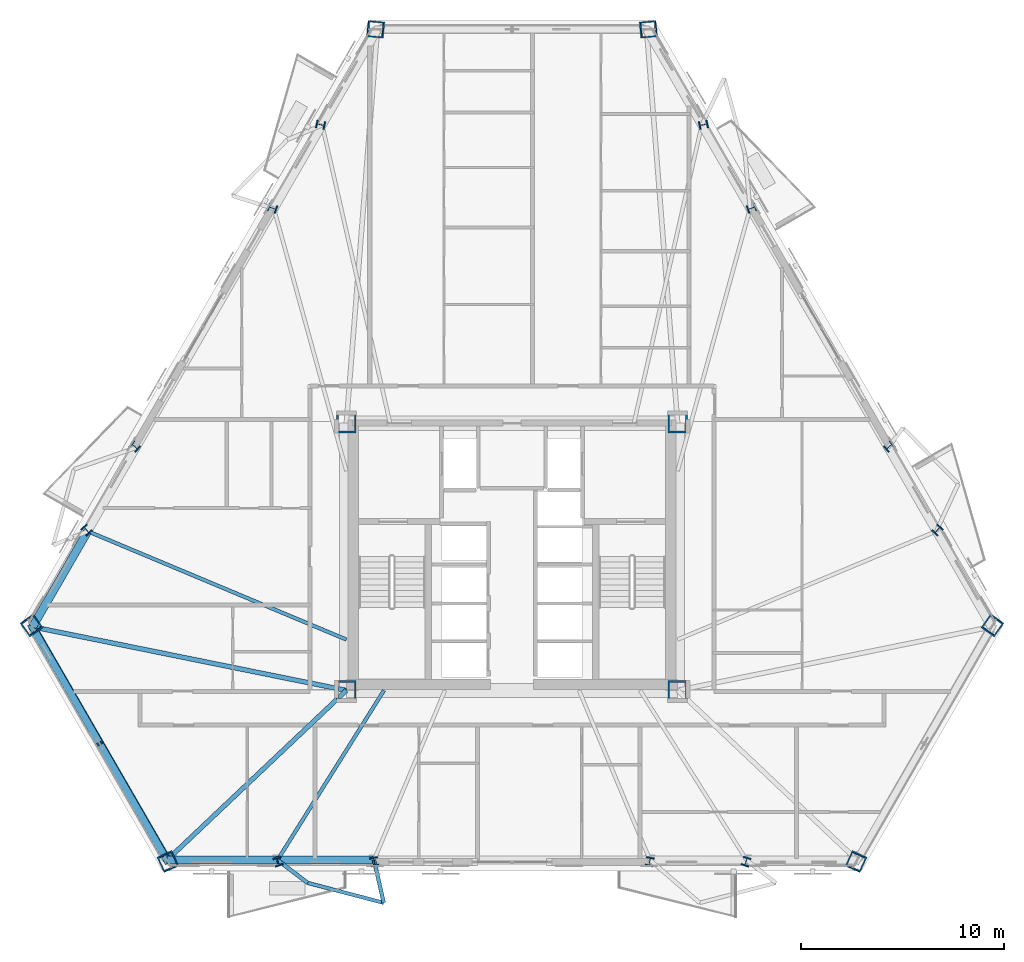
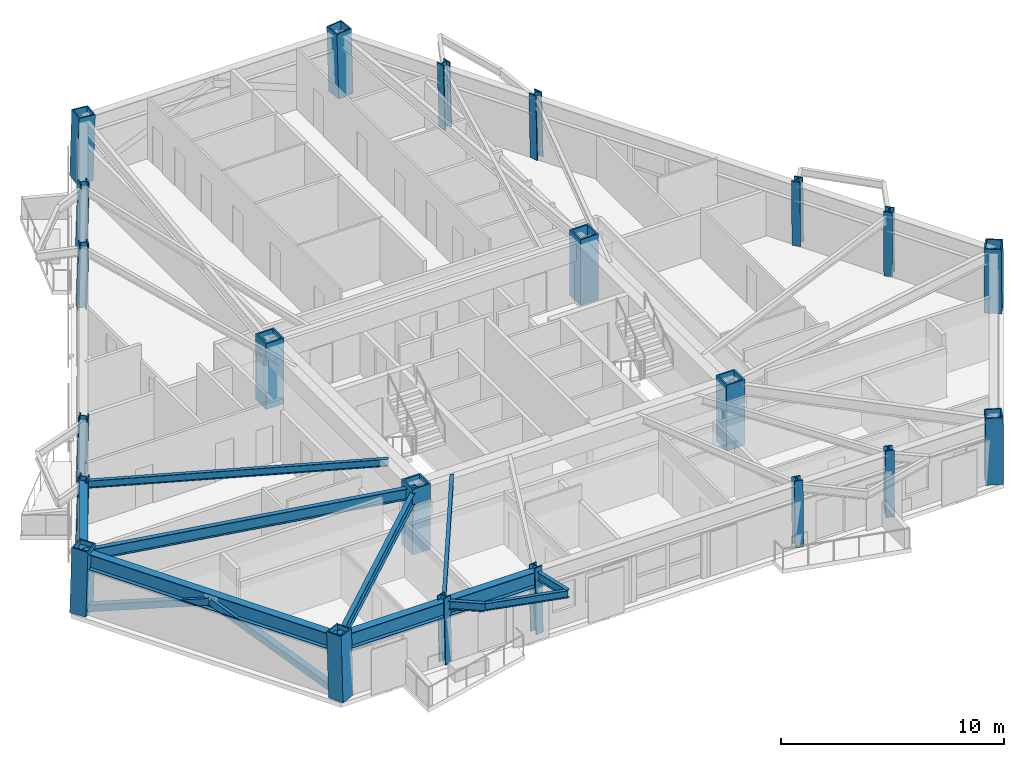
# One storey, part 1 of 17: 22 columns, 11 beams, 2 members.
"""IFC4 building model written with IfcOpenShell, lengths in metres."""

from ifc_helpers import new_model, si_unit, direction, frame, origin, origin_2d, place, context, subcontext, project, spatial, hollow_rectangle, i_section, extrude, material, material_profile, profile_set, type_object, element, save


model = new_model("IFC4")

# Units and contexts
model_context = context("Model", 3, precision=1e-05, world=origin(), true_north=direction((0.0, 1.0)))
body_context = subcontext(model_context, "Body", "Model", "MODEL_VIEW")
ifc_project = project(units=[si_unit("LENGTHUNIT", "METRE"), si_unit("AREAUNIT", "SQUARE_METRE"), si_unit("VOLUMEUNIT", "CUBIC_METRE"), si_unit("PLANEANGLEUNIT", "RADIAN"), si_unit("MASSUNIT", "GRAM", prefix="KILO")], contexts=[model_context])

# Site, building, storey
site_placement = place(None, origin())
site = spatial("IfcSite", under=ifc_project, at=site_placement, CompositionType="ELEMENT")
building_placement = place(site_placement, origin())
building = spatial("IfcBuilding", under=site, at=building_placement, Name="Oramaril Tower", CompositionType="ELEMENT")
storey_placement = place(building_placement, frame((0.0, 0.0, 70.5)))
storey = spatial("IfcBuildingStorey", under=building, at=storey_placement, Name="L18", CompositionType="ELEMENT", Elevation=70.5)

# Columns
ifc_material_1 = material(Name="Steel ASTM A572 Gr 50", Category="steel")
ifc_material_profile_1 = material_profile(ifc_material_1, hollow_rectangle(XDim=0.949951171875, YDim=0.949951171875, WallThickness=0.080078125, at=origin_2d()), Name="BOX950X950X80")
ifc_profile_set_1 = profile_set([ifc_material_profile_1], Name="Steel ASTM A572 Gr 50")
column_type_1 = type_object("IfcColumnType", Name="CT-CC2", PredefinedType="COLUMN", material=ifc_profile_set_1)
for number, where, z_axis, x_axis, name in (
    (1, (29.35009765625, 11.0, 0.0), (0.0, 0.0, 1.0), (1.0, 0.0, 0.0), "L18 Core Column CC-1"),
    (2, (45.64990234375, 11.0, 0.0), (0.0, 0.0, 1.0), (1.0, 0.0, 0.0), "L18 Core Column CC-2"),
    (3, (45.64990234375, 24.14990234375, 0.0), (0.0, 0.0, 1.0), (1.0, 0.0, 0.0), "L18 Core Column CC-3"),
    (4, (29.35009765625, 24.14990234375, 0.0), (0.0, 0.0, 1.0), (1.0, 0.0, 0.0), "L18 Core Column CC-4"),
):
    element("IfcColumn", number, at=place(storey_placement, frame(where, z_axis=z_axis, x_axis=x_axis)), inside=storey, type_object=column_type_1, Name=name, PredefinedType="COLUMN", context=body_context, shape_type="SweptSolid", body=[
        extrude(hollow_rectangle(XDim=0.949951171875, YDim=0.949951171875, WallThickness=0.080078125, at=origin_2d()), origin(), (0.0, 0.0, 1.0), 3.60009765625),
    ])
ifc_material_2 = material(Name="Steel ASTM A572 Gr 50", Category="steel")
ifc_material_profile_2 = material_profile(ifc_material_2, hollow_rectangle(XDim=0.800048828125, YDim=0.800048828125, WallThickness=0.06494140625, at=origin_2d()), Name="BOX800X800X65")
ifc_profile_set_2 = profile_set([ifc_material_profile_2], Name="Steel ASTM A572 Gr 50")
column_type_2 = type_object("IfcColumnType", Name="CT-TC3", PredefinedType="COLUMN", material=ifc_profile_set_2)
for number, where, z_axis, x_axis, name in (
    (5, (13.84765625, 14.211669921875, 0.00439453125), (0.016581615647, -0.023513274647, 0.999586002272), (0.817229610223, 0.576312210677, 0.0), "L18 Tube Column TC-01"),
    (6, (20.57421875, 2.560546875, 0.00439453125), (-0.012028480059, 0.026095685552, 0.99958708018), (-0.908166933143, -0.418608195746, 0.0), "L18 Tube Column TC-02"),
    (7, (54.42578125, 2.560546875, 0.00439453125), (0.012028480059, 0.026095685552, 0.99958708018), (-0.908166933143, 0.418608195746, 0.0), "L18 Tube Column TC-03"),
    (8, (61.15234375, 14.211669921875, 0.00439453125), (-0.016581615647, -0.023513274647, 0.999586002272), (0.817229610223, -0.576312210677, 0.0), "L18 Tube Column TC-04"),
    (9, (44.226806640625, 43.52783203125, 0.00439453125), (-0.028678016801, -0.002650338046, 0.999585187496), (0.092024908784, -0.995756705307, 0.0), "L18 Tube Column TC-05"),
    (10, (30.773193359375, 43.52783203125, 0.00439453125), (0.028678016801, -0.002650338046, 0.999585187496), (0.092024908784, 0.995756705307, 0.0), "L18 Tube Column TC-06"),
):
    element("IfcColumn", number, at=place(storey_placement, frame(where, z_axis=z_axis, x_axis=x_axis)), inside=storey, type_object=column_type_2, Name=name, PredefinedType="COLUMN", context=body_context, shape_type="SweptSolid", body=[
        extrude(hollow_rectangle(XDim=0.800048828125, YDim=0.800048828125, WallThickness=0.06494140625, at=origin_2d()), origin(), (0.0, 0.0, 1.0), 3.592529296875),
    ])
ifc_material_3 = material(Name="Steel ASTM A572 Gr 50", Category="steel")
ifc_material_profile_3 = material_profile(ifc_material_3, i_section(OverallWidth=0.410888671875, OverallDepth=0.43408203125, WebThickness=0.035888671875, FlangeThickness=0.057373046875, at=origin_2d()), Name="W14X311")
ifc_profile_set_3 = profile_set([ifc_material_profile_3], Name="Steel ASTM A572 Gr 50")
column_type_3 = type_object("IfcColumnType", Name="CT-TF2", PredefinedType="COLUMN", material=ifc_profile_set_3)
column_1_placement = place(storey_placement, frame((25.990478515625, 2.560546875, 0.00439453125), z_axis=(-0.008155220537, 0.026096705717, 0.999626157285), x_axis=(-0.954479978035, -0.298274993136, 0.0)))
element("IfcColumn", 11, at=column_1_placement, inside=storey, type_object=column_type_3, Name="L18 Tube Column TC-07", PredefinedType="COLUMN", context=body_context, shape_type="SweptSolid", body=[
    extrude(i_section(OverallWidth=0.410888671875, OverallDepth=0.43408203125, WebThickness=0.035888671875, FlangeThickness=0.057373046875, at=origin_2d()), origin(), (0.0, 0.0, 1.0), 3.592529296875),
])
for number, where, z_axis, x_axis, name in (
    (12, (30.729736328125, 2.560546875, 0.00439453125), (-0.004825276439, 0.026097269755, 0.999647762574), (-0.983332910059, -0.181814157849, 0.0), "L18 Tube Column TC-08"),
    (13, (44.270263671875, 2.560546875, 0.00439453125), (0.004825276439, 0.026097269755, 0.999647762574), (-0.983332910059, 0.181814157849, 0.0), "L18 Tube Column TC-09"),
):
    element("IfcColumn", number, at=place(storey_placement, frame(where, z_axis=z_axis, x_axis=x_axis)), inside=storey, type_object=column_type_3, Name=name, PredefinedType="COLUMN", context=body_context, shape_type="SweptSolid", body=[
        extrude(i_section(OverallWidth=0.410888671875, OverallDepth=0.43408203125, WebThickness=0.035888671875, FlangeThickness=0.057373046875, at=origin_2d()), origin(), (0.0, 0.0, 1.0), 3.59228515625),
    ])
for number, where, z_axis, x_axis, name in (
    (14, (49.009521484375, 2.560546875, 0.00439453125), (0.008155220537, 0.026096705717, 0.999626157285), (-0.954479978035, 0.298274993136, 0.0), "L18 Tube Column TC-10"),
    (15, (58.4443359375, 18.902099609375, 0.00439453125), (-0.018553114339, -0.020116197232, 0.99962549015), (0.73508901116, -0.677970608266, 0.0), "L18 Tube Column TC-11"),
):
    element("IfcColumn", number, at=place(storey_placement, frame(where, z_axis=z_axis, x_axis=x_axis)), inside=storey, type_object=column_type_3, Name=name, PredefinedType="COLUMN", context=body_context, shape_type="SweptSolid", body=[
        extrude(i_section(OverallWidth=0.410888671875, OverallDepth=0.43408203125, WebThickness=0.035888671875, FlangeThickness=0.057373046875, at=origin_2d()), origin(), (0.0, 0.0, 1.0), 3.592529296875),
    ])
for number, where, z_axis, x_axis, name in (
    (16, (56.07470703125, 23.006591796875, 0.00439453125), (-0.020184596448, -0.017262247467, 0.999647236218), (0.649948056904, -0.759978633467, 0.0), "L18 Tube Column TC-12"),
    (17, (49.304443359375, 34.73291015625, 0.00439453125), (-0.025009878433, -0.008902973029, 0.999647559419), (0.335363176575, -0.942088923509, 0.0), "L18 Tube Column TC-13"),
):
    element("IfcColumn", number, at=place(storey_placement, frame(where, z_axis=z_axis, x_axis=x_axis)), inside=storey, type_object=column_type_3, Name=name, PredefinedType="COLUMN", context=body_context, shape_type="SweptSolid", body=[
        extrude(i_section(OverallWidth=0.410888671875, OverallDepth=0.43408203125, WebThickness=0.035888671875, FlangeThickness=0.057373046875, at=origin_2d()), origin(), (0.0, 0.0, 1.0), 3.59228515625),
    ])
for number, where, z_axis, x_axis, name in (
    (18, (46.934814453125, 38.837158203125, 0.00439453125), (-0.026708337266, -0.005912532677, 0.99962578332), (0.216141230312, -0.976362109342, 0.0), "L18 Tube Column TC-14"),
    (19, (28.065185546875, 38.837158203125, 0.00439453125), (0.026708337266, -0.005912532677, 0.99962578332), (0.216141230312, 0.976362109342, 0.0), "L18 Tube Column TC-15"),
):
    element("IfcColumn", number, at=place(storey_placement, frame(where, z_axis=z_axis, x_axis=x_axis)), inside=storey, type_object=column_type_3, Name=name, PredefinedType="COLUMN", context=body_context, shape_type="SweptSolid", body=[
        extrude(i_section(OverallWidth=0.410888671875, OverallDepth=0.43408203125, WebThickness=0.035888671875, FlangeThickness=0.057373046875, at=origin_2d()), origin(), (0.0, 0.0, 1.0), 3.592529296875),
    ])
for number, where, z_axis, x_axis, name in (
    (20, (25.695556640625, 34.73291015625, 0.00439453125), (0.025009878433, -0.008902973029, 0.999647559419), (0.335363176575, 0.942088923509, 0.0), "L18 Tube Column TC-16"),
    (21, (18.92529296875, 23.006591796875, 0.00439453125), (0.020184596448, -0.017262247467, 0.999647236218), (0.649948056904, 0.759978633467, 0.0), "L18 Tube Column TC-17"),
):
    element("IfcColumn", number, at=place(storey_placement, frame(where, z_axis=z_axis, x_axis=x_axis)), inside=storey, type_object=column_type_3, Name=name, PredefinedType="COLUMN", context=body_context, shape_type="SweptSolid", body=[
        extrude(i_section(OverallWidth=0.410888671875, OverallDepth=0.43408203125, WebThickness=0.035888671875, FlangeThickness=0.057373046875, at=origin_2d()), origin(), (0.0, 0.0, 1.0), 3.59228515625),
    ])
column_2_placement = place(storey_placement, frame((16.5556640625, 18.902099609375, 0.00439453125), z_axis=(0.018553114339, -0.020116197232, 0.99962549015), x_axis=(0.73508901116, 0.677970608266, 0.0)))
element("IfcColumn", 22, at=column_2_placement, inside=storey, type_object=column_type_3, Name="L18 Tube Column TC-18", PredefinedType="COLUMN", context=body_context, shape_type="SweptSolid", body=[
    extrude(i_section(OverallWidth=0.410888671875, OverallDepth=0.43408203125, WebThickness=0.035888671875, FlangeThickness=0.057373046875, at=origin_2d()), origin(), (0.0, 0.0, 1.0), 3.592529296875),
])

# Beams
ifc_material_4 = material(Name="Steel ASTM A572 Gr 50", Category="steel")
ifc_material_profile_4 = material_profile(ifc_material_4, i_section(OverallWidth=0.19091796875, OverallDepth=0.45703125, WebThickness=0.009033203125, FlangeThickness=0.014404296875, at=origin_2d()), Name="W18X50")
ifc_profile_set_4 = profile_set([ifc_material_profile_4], Name="Steel ASTM A572 Gr 50")
beam_type_1 = type_object("IfcBeamType", Name="BT-BB1", PredefinedType="BEAM", material=ifc_profile_set_4)
beam_1_placement = place(storey_placement, frame((25.961181640625, 2.654296875, 3.131591796875), z_axis=(0.795780630621, -0.605584996453, 0.0), x_axis=(0.605584996453, 0.795780630621, 0.0)))
element("IfcBeam", 23, at=beam_1_placement, inside=storey, type_object=beam_type_1, Name="L18 Balcony Column-Framed Cantilever 01.1", PredefinedType="BEAM", context=body_context, shape_type="SweptSolid", body=[
    extrude(i_section(OverallWidth=0.19091796875, OverallDepth=0.45703125, WebThickness=0.009033203125, FlangeThickness=0.014404296875, at=origin_2d()), origin(), (0.0, 0.0, 1.0), 1.862548828125),
])
beam_2_placement = place(storey_placement, frame((30.71240234375, 2.654296875, 3.131591796875), z_axis=(0.219872447627, -0.975528629398, 0.0), x_axis=(0.975528629398, 0.219872447627, 0.0)))
element("IfcBeam", 24, at=beam_2_placement, inside=storey, type_object=beam_type_1, Name="L18 Balcony Column-Framed Cantilever 01.2", PredefinedType="BEAM", context=body_context, shape_type="SweptSolid", body=[
    extrude(i_section(OverallWidth=0.19091796875, OverallDepth=0.45703125, WebThickness=0.009033203125, FlangeThickness=0.014404296875, at=origin_2d()), origin(), (0.0, 0.0, 1.0), 2.160888671875),
])
ifc_material_5 = material(Name="Steel ASTM A572 Gr 50", Category="steel")
ifc_material_profile_5 = material_profile(ifc_material_5, i_section(OverallWidth=0.22900390625, OverallDepth=0.612060546875, WebThickness=0.011962890625, FlangeThickness=0.01953125, at=origin_2d()), Name="W24X84")
ifc_profile_set_5 = profile_set([ifc_material_profile_5], Name="Steel ASTM A572 Gr 50")
beam_type_2 = type_object("IfcBeamType", Name="BT-FB1", PredefinedType="BEAM", material=ifc_profile_set_5)
beam_3_placement = place(storey_placement, frame((29.35009765625, 11.0, 3.053955078125), z_axis=(-0.980106444262, 0.198472562123, 0.0), x_axis=(-0.198472562123, -0.980106444262, 0.0)))
element("IfcBeam", 25, at=beam_3_placement, inside=storey, type_object=beam_type_2, Name="L18 Radial Primary Beam RB-01", PredefinedType="BEAM", context=body_context, shape_type="SweptSolid", body=[
    extrude(i_section(OverallWidth=0.22900390625, OverallDepth=0.612060546875, WebThickness=0.011962890625, FlangeThickness=0.01953125, at=origin_2d()), origin(), (0.0, 0.0, 1.0), 15.75634765625),
])
beam_4_placement = place(storey_placement, frame((29.35009765625, 11.0, 3.053955078125), z_axis=(-0.726331938854, -0.687344102034, 0.0), x_axis=(0.687344102034, -0.726331938854, 0.0)))
element("IfcBeam", 26, at=beam_4_placement, inside=storey, type_object=beam_type_2, Name="L18 Radial Primary Beam RB-02", PredefinedType="BEAM", context=body_context, shape_type="SweptSolid", body=[
    extrude(i_section(OverallWidth=0.22900390625, OverallDepth=0.612060546875, WebThickness=0.011962890625, FlangeThickness=0.01953125, at=origin_2d()), origin(), (0.0, 0.0, 1.0), 12.141845703125),
])
ifc_material_6 = material(Name="Steel ASTM A572 Gr 50", Category="steel")
ifc_material_profile_6 = material_profile(ifc_material_6, i_section(OverallWidth=0.177978515625, OverallDepth=0.404052734375, WebThickness=0.007568359375, FlangeThickness=0.010986328125, at=origin_2d()), Name="W16X36")
ifc_profile_set_6 = profile_set([ifc_material_profile_6], Name="Steel ASTM A572 Gr 50")
beam_type_3 = type_object("IfcBeamType", Name="BT-SB1", PredefinedType="BEAM", material=ifc_profile_set_6)
beam_5_placement = place(storey_placement, frame((31.199951171875, 11.0, 3.157958984375), z_axis=(-0.531654893826, -0.846961081674, 0.0), x_axis=(0.846961081674, -0.531654893826, 0.0)))
element("IfcBeam", 27, at=beam_5_placement, inside=storey, type_object=beam_type_3, Name="L18 Secondary Floor Beam SB-01", PredefinedType="BEAM", context=body_context, shape_type="SweptSolid", body=[
    extrude(i_section(OverallWidth=0.177978515625, OverallDepth=0.404052734375, WebThickness=0.007568359375, FlangeThickness=0.010986328125, at=origin_2d()), origin(), (0.0, 0.0, 1.0), 9.853759765625),
])
beam_6_placement = place(storey_placement, frame((29.35009765625, 13.5, 3.157958984375), z_axis=(-0.922391296848, 0.386256774049, 0.0), x_axis=(-0.386256774049, -0.922391296848, 0.0)))
element("IfcBeam", 28, at=beam_6_placement, inside=storey, type_object=beam_type_3, Name="L18 Secondary Floor Beam SB-10", PredefinedType="BEAM", context=body_context, shape_type="SweptSolid", body=[
    extrude(i_section(OverallWidth=0.177978515625, OverallDepth=0.404052734375, WebThickness=0.007568359375, FlangeThickness=0.010986328125, at=origin_2d()), origin(), (0.0, 0.0, 1.0), 13.798583984375),
])
beam_7_placement = place(storey_placement, frame((27.443359375, 1.5263671875, 3.157958984375), z_axis=(0.967411967632, -0.253207592467, 0.0), x_axis=(0.253207592467, 0.967411967632, 0.0)))
element("IfcBeam", 29, at=beam_7_placement, inside=storey, type_object=beam_type_3, Name="L18 Balcony Edge Tie Beam 01", PredefinedType="BEAM", context=body_context, shape_type="SweptSolid", body=[
    extrude(i_section(OverallWidth=0.177978515625, OverallDepth=0.404052734375, WebThickness=0.007568359375, FlangeThickness=0.010986328125, at=origin_2d()), origin(), (0.0, 0.0, 1.0), 3.870361328125),
])
ifc_material_7 = material(Name="Steel ASTM A572 Gr 50", Category="steel")
ifc_material_profile_7 = material_profile(ifc_material_7, i_section(OverallWidth=0.40087890625, OverallDepth=0.85595703125, WebThickness=0.018310546875, FlangeThickness=0.029296875, at=origin_2d()), Name="W33X201")
ifc_profile_set_7 = profile_set([ifc_material_profile_7], Name="Steel ASTM A572 Gr 50")
beam_type_4 = type_object("IfcBeamType", Name="BT-SP1", PredefinedType="SPANDREL", material=ifc_profile_set_7)
beam_8_placement = place(storey_placement, frame((13.9072265625, 14.127197265625, 2.931884765625), z_axis=(0.499994178302, -0.866028764917, 0.0), x_axis=(0.866028764917, 0.499994178302, 0.0)))
element("IfcBeam", 30, at=beam_8_placement, inside=storey, type_object=beam_type_4, Name="L18 Perimeter Spandrel 01", PredefinedType="SPANDREL", context=body_context, shape_type="SweptSolid", body=[
    extrude(i_section(OverallWidth=0.40087890625, OverallDepth=0.85595703125, WebThickness=0.018310546875, FlangeThickness=0.029296875, at=origin_2d()), origin(), (0.0, 0.0, 1.0), 13.247802734375),
])
beam_9_placement = place(storey_placement, frame((20.531005859375, 2.654296875, 2.931884765625), z_axis=(1.0, 0.0, 0.0), x_axis=(0.0, 1.0, 0.0)))
element("IfcBeam", 31, at=beam_9_placement, inside=storey, type_object=beam_type_4, Name="L18 Perimeter Spandrel 02", PredefinedType="SPANDREL", context=body_context, shape_type="SweptSolid", body=[
    extrude(i_section(OverallWidth=0.40087890625, OverallDepth=0.85595703125, WebThickness=0.018310546875, FlangeThickness=0.029296875, at=origin_2d()), origin(), (0.0, 0.0, 1.0), 5.43017578125),
])
beam_10_placement = place(storey_placement, frame((25.961181640625, 2.654296875, 2.931884765625), z_axis=(1.0, 0.0, 0.0), x_axis=(0.0, 1.0, 0.0)))
element("IfcBeam", 32, at=beam_10_placement, inside=storey, type_object=beam_type_4, Name="L18 Perimeter Spandrel 03", PredefinedType="SPANDREL", context=body_context, shape_type="SweptSolid", body=[
    extrude(i_section(OverallWidth=0.40087890625, OverallDepth=0.85595703125, WebThickness=0.018310546875, FlangeThickness=0.029296875, at=origin_2d()), origin(), (0.0, 0.0, 1.0), 4.751220703125),
])
beam_11_placement = place(storey_placement, frame((16.622314453125, 18.829833984375, 2.931884765625), z_axis=(-0.500002667764, -0.866023863544, 0.0), x_axis=(0.866023863544, -0.500002667764, 0.0)))
element("IfcBeam", 33, at=beam_11_placement, inside=storey, type_object=beam_type_4, Name="L18 Perimeter Spandrel 18", PredefinedType="SPANDREL", context=body_context, shape_type="SweptSolid", body=[
    extrude(i_section(OverallWidth=0.40087890625, OverallDepth=0.85595703125, WebThickness=0.018310546875, FlangeThickness=0.029296875, at=origin_2d()), origin(), (0.0, 0.0, 1.0), 5.43017578125),
])

# Members
ifc_material_8 = material(Name="Steel ASTM A572 Gr 50", Category="steel")
ifc_material_profile_8 = material_profile(ifc_material_8, hollow_rectangle(XDim=0.35009765625, YDim=0.35009765625, WallThickness=0.01611328125, at=origin_2d()), Name="HSS350X350X16")
ifc_profile_set_8 = profile_set([ifc_material_profile_8], Name="Steel ASTM A572 Gr 50")
member_type = type_object("IfcMemberType", Name="MT-KB1", PredefinedType="BRACE", material=ifc_profile_set_8)
member_1_placement = place(storey_placement, frame((13.84765625, 14.211669921875, 0.179931640625), z_axis=(0.462753396891, -0.801554991043, 0.378640845656), x_axis=(0.866036909293, 0.499980071345, 0.0)))
element("IfcMember", 34, at=member_1_placement, inside=storey, type_object=member_type, Name="L18 Perimeter Chevron Brace KB-1A", PredefinedType="BRACE", context=body_context, shape_type="SweptSolid", body=[
    extrude(hollow_rectangle(XDim=0.35009765625, YDim=0.35009765625, WallThickness=0.01611328125, at=origin_2d()), origin(), (0.0, 0.0, 1.0), 7.26806640625),
])
member_2_placement = place(storey_placement, frame((20.57421875, 2.560546875, 0.179931640625), z_axis=(-0.462765856886, 0.801542981355, 0.378651040855), x_axis=(-0.866027836199, -0.499995786911, 0.0)))
element("IfcMember", 35, at=member_2_placement, inside=storey, type_object=member_type, Name="L18 Perimeter Chevron Brace KB-1B", PredefinedType="BRACE", context=body_context, shape_type="SweptSolid", body=[
    extrude(hollow_rectangle(XDim=0.35009765625, YDim=0.35009765625, WallThickness=0.01611328125, at=origin_2d()), origin(), (0.0, 0.0, 1.0), 7.267822265625),
])

save(model, "model.ifc")
